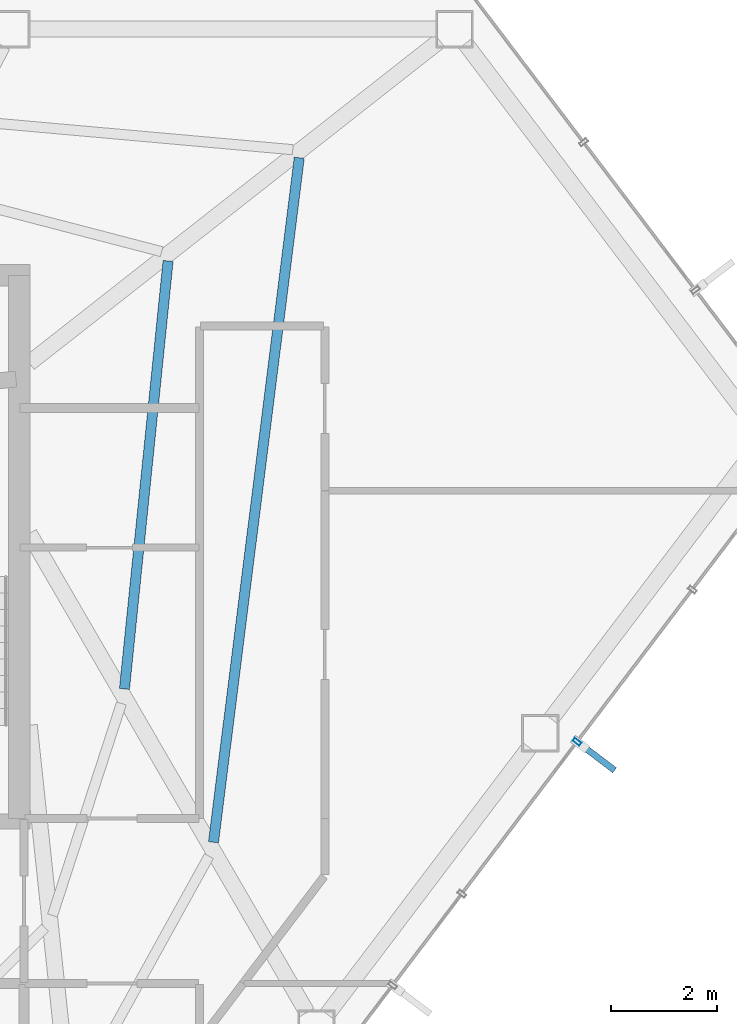
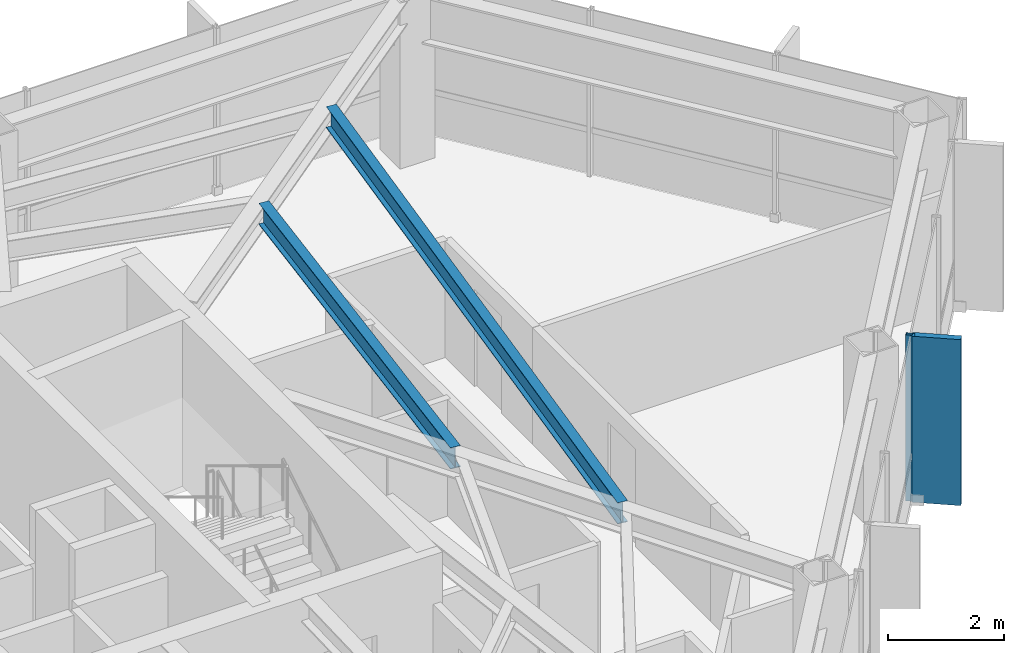
# One storey, part 19 of 27: 2 beams, 2 members, 1 element without a shape of its own.
"""IFC4 building model written with IfcOpenShell, lengths in metres."""

import ifcopenshell
import ifcopenshell.guid

model = None  # the IFC model being written
_history = None  # IfcOwnerHistory: only IFC2X3 demands one
_inside = {}  # id of a spatial element -> (the spatial element, [elements in it])
_under = {}  # id of a project, library or spatial element -> (it, [spatial elements below it])
_declared = {}  # id of a project -> (the project, [libraries it declares])
_typed = {}  # id of a type object -> (the type object, [elements of that type])
_made_of = {}  # id of a material, layer set ... -> (it, [elements and type objects made of it])


def new_model(schema):
    """Start an empty IFC model of exactly this schema.

    Asked for "IFC4X3", IfcOpenShell would pick the latest addendum, in which some entities
    have other attributes; the version numbers below select the first issue.
    IFC2X3 requires an IfcOwnerHistory on every rooted entity: one is made here for all.
    """
    global model, _history
    if schema == "IFC4X3":
        model = ifcopenshell.file(schema_version=(4, 3, 0, 0))
    else:
        model = ifcopenshell.file(schema=schema)
    _inside.clear()
    _under.clear()
    _declared.clear()
    _typed.clear()
    _made_of.clear()
    _history = None
    if model.schema == "IFC2X3":
        org = make("IfcOrganization", Name="unknown")
        user = make(
            "IfcPersonAndOrganization",
            ThePerson=make("IfcPerson", FamilyName="unknown"),
            TheOrganization=org,
        )
        app = make(
            "IfcApplication",
            ApplicationDeveloper=org,
            Version="unknown",
            ApplicationFullName="unknown",
            ApplicationIdentifier="unknown",
        )
        _history = make(
            "IfcOwnerHistory",
            OwningUser=user,
            OwningApplication=app,
            ChangeAction="ADDED",
            CreationDate=0,
        )
    return model


def make(cls, **values):
    """One entity of the class cls with the attributes given. An attribute that is None is left unset."""
    return model.create_entity(
        cls, **{name: value for name, value in values.items() if value is not None}
    )


def rooted(cls, **values):
    """An entity with a GlobalId (a new one), such as an element, a storey or a relation."""
    return make(cls, GlobalId=ifcopenshell.guid.new(), OwnerHistory=_history, **values)


def si_unit(unit_type, name, prefix=None):
    """IfcSIUnit, for example si_unit("LENGTHUNIT", "METRE", prefix="MILLI")."""
    return make("IfcSIUnit", UnitType=unit_type, Prefix=prefix, Name=name)


def assignment(units):
    """IfcUnitAssignment: the units of a project."""
    return None if units is None else make("IfcUnitAssignment", Units=units)


def point(xyz):
    """IfcCartesianPoint."""
    return None if xyz is None else make("IfcCartesianPoint", Coordinates=xyz)


def direction(xyz):
    """IfcDirection."""
    return None if xyz is None else make("IfcDirection", DirectionRatios=xyz)


def frame(location, z_axis=None, x_axis=None):
    """IfcAxis2Placement3D, a coordinate frame: its origin and axes. An axis left out is left unset."""
    return make(
        "IfcAxis2Placement3D",
        Location=point(location),
        Axis=direction(z_axis),
        RefDirection=direction(x_axis),
    )


def frame_2d(location, x_axis=None):
    """IfcAxis2Placement2D, a coordinate frame in the plane: its origin and x axis."""
    return make(
        "IfcAxis2Placement2D", Location=point(location), RefDirection=direction(x_axis)
    )


def origin():
    """The frame at (0, 0, 0) with its axes left unset."""
    return frame((0.0, 0.0, 0.0))


def origin_2d():
    """The frame at (0, 0) in the plane with its x axis left unset."""
    return frame_2d((0.0, 0.0))


def place(relative_to, where):
    """IfcLocalPlacement: puts the frame where relative to a parent placement (None: the world)."""
    return make(
        "IfcLocalPlacement", PlacementRelTo=relative_to, RelativePlacement=where
    )


def context(
    kind, dimensions, precision=None, world=None, true_north=None, identifier=None
):
    """IfcGeometricRepresentationContext, for example the 3D "Model" context."""
    return make(
        "IfcGeometricRepresentationContext",
        ContextIdentifier=identifier,
        ContextType=kind,
        CoordinateSpaceDimension=dimensions,
        Precision=precision,
        WorldCoordinateSystem=world,
        TrueNorth=true_north,
    )


def subcontext(parent, identifier, kind, view, scale=None):
    """IfcGeometricRepresentationSubContext, for example "Body" below "Model"."""
    return make(
        "IfcGeometricRepresentationSubContext",
        ContextIdentifier=identifier,
        ContextType=kind,
        ParentContext=parent,
        TargetScale=scale,
        TargetView=view,
    )


def project(units=None, contexts=None):
    """IfcProject with its units and contexts."""
    return rooted(
        "IfcProject",
        Name="project",
        RepresentationContexts=contexts,
        UnitsInContext=assignment(units),
    )


def spatial(cls, under=None, at=None, **own):
    """A site, building, storey or space (cls), placed at a placement, below another one or the project."""
    s = rooted(cls, ObjectPlacement=at, **own)
    if under is not None:
        _under.setdefault(under.id(), (under, []))[1].append(s)
    return s


def profile(cls, at=None, kind="AREA", **sizes):
    """A parametric profile (cls). Its sizes go by their IFC names, for example OverallWidth=200.0."""
    return make(cls, ProfileType=kind, Position=at, **sizes)


def rectangle(**sizes):
    """IfcRectangleProfileDef."""
    return profile("IfcRectangleProfileDef", **sizes)


def hollow_rectangle(**sizes):
    """IfcRectangleHollowProfileDef."""
    return profile("IfcRectangleHollowProfileDef", **sizes)


def i_section(**sizes):
    """IfcIShapeProfileDef."""
    return profile("IfcIShapeProfileDef", **sizes)


def extrude(swept, where, along, depth):
    """IfcExtrudedAreaSolid: the profile swept, set in the frame where, extruded along a direction by depth."""
    return make(
        "IfcExtrudedAreaSolid",
        SweptArea=swept,
        Position=where,
        ExtrudedDirection=direction(along),
        Depth=depth,
    )


def shape(context_of_items, identifier, shape_type, items):
    """IfcShapeRepresentation: the items that make up one representation, for example the "Body"."""
    return make(
        "IfcShapeRepresentation",
        ContextOfItems=context_of_items,
        RepresentationIdentifier=identifier,
        RepresentationType=shape_type,
        Items=items,
    )


def material(Name=None, Category=None):
    """IfcMaterial."""
    return make("IfcMaterial", Name=Name, Category=Category)


def layer(
    of_material, thickness, ventilated=None, Name=None, Category=None, Priority=None
):
    """IfcMaterialLayer: one layer of a wall or slab, of a material (None: an air gap)."""
    return make(
        "IfcMaterialLayer",
        Material=of_material,
        LayerThickness=thickness,
        IsVentilated=ventilated,
        Name=Name,
        Category=Category,
        Priority=Priority,
    )


def layer_set(layers, Name=None):
    """IfcMaterialLayerSet."""
    return make("IfcMaterialLayerSet", MaterialLayers=layers, LayerSetName=Name)


def material_profile(
    of_material, cross_section, Name=None, Category=None, Priority=None
):
    """IfcMaterialProfile: a cross section and its material."""
    return make(
        "IfcMaterialProfile",
        Name=Name,
        Material=of_material,
        Profile=cross_section,
        Priority=Priority,
        Category=Category,
    )


def profile_set(profiles, Name=None, composite=None):
    """IfcMaterialProfileSet."""
    return make(
        "IfcMaterialProfileSet",
        Name=Name,
        MaterialProfiles=profiles,
        CompositeProfile=composite,
    )


def made_of(thing, what):
    """Note that an element or type object is made of a material, layer set ...; save() writes the relation."""
    if what is not None:
        _made_of.setdefault(what.id(), (what, []))[1].append(thing)
    return thing


def type_object(cls, material=None, **own):
    """A type object (cls), such as IfcWallType, which elements share."""
    return made_of(rooted(cls, **own), material)


def element(
    cls,
    number,
    at=None,
    inside=None,
    cuts=None,
    type_object=None,
    material=None,
    context=None,
    identifier="Body",
    shape_type=None,
    held_by="IfcProductDefinitionShape",
    body=None,
    shapes=None,
    **own,
):
    """One element of the class cls, such as IfcWall. Its Tag is "e" and its number.

    at: its placement. inside: the storey or other place that contains it. cuts: it is an
    opening in that element (IfcRelVoidsElement). A single representation is given by context,
    identifier, shape_type and body (its items); several are given by shapes. held_by: the class
    of the entity that holds the representations. save() writes the other relations.
    """
    e = rooted(cls, Tag="e%d" % number, ObjectPlacement=at, **own)
    if body is not None:
        shapes = [shape(context, identifier, shape_type, body)]
    if shapes is not None:
        e.Representation = make(held_by, Representations=shapes)
    if inside is not None:
        _inside.setdefault(inside.id(), (inside, []))[1].append(e)
    if cuts is not None:
        rooted(
            "IfcRelVoidsElement", RelatingBuildingElement=cuts, RelatedOpeningElement=e
        )
    if type_object is not None:
        _typed.setdefault(type_object.id(), (type_object, []))[1].append(e)
    return made_of(e, material)


def aggregate(whole, parts):
    """IfcRelAggregates: a whole, such as a stair, and the parts it consists of."""
    return rooted("IfcRelAggregates", RelatingObject=whole, RelatedObjects=parts)


def save(model, path):
    """Write the relations noted so far, then the file.

    IfcRelAggregates (storeys below a building ...), IfcRelContainedInSpatialStructure (elements
    in a storey), IfcRelDefinesByType, IfcRelAssociatesMaterial and IfcRelDeclares: one each for
    every whole, place, type object, material and project.
    """
    for whole, parts in _under.values():
        aggregate(whole, parts)
    for where, things in _inside.values():
        rooted(
            "IfcRelContainedInSpatialStructure",
            RelatedElements=things,
            RelatingStructure=where,
        )
    for kind, things in _typed.values():
        rooted("IfcRelDefinesByType", RelatedObjects=things, RelatingType=kind)
    for what, things in _made_of.values():
        rooted("IfcRelAssociatesMaterial", RelatedObjects=things, RelatingMaterial=what)
    for by, libraries in _declared.values():
        rooted("IfcRelDeclares", RelatingContext=by, RelatedDefinitions=libraries)
    model.write(path)


model = new_model("IFC4")

# Units and contexts
model_context = context("Model", 3, precision=1e-05, world=origin(), true_north=direction((0.0, 1.0)))
body_context = subcontext(model_context, "Body", "Model", "MODEL_VIEW")
ifc_project = project(units=[si_unit("LENGTHUNIT", "METRE"), si_unit("AREAUNIT", "SQUARE_METRE"), si_unit("VOLUMEUNIT", "CUBIC_METRE"), si_unit("PLANEANGLEUNIT", "RADIAN"), si_unit("MASSUNIT", "GRAM", prefix="KILO")], contexts=[model_context])

# Site, building, storey
site_placement = place(None, origin())
site = spatial("IfcSite", under=ifc_project, at=site_placement, CompositionType="ELEMENT")
building_placement = place(site_placement, origin())
building = spatial("IfcBuilding", under=site, at=building_placement, Name="Zarrinselat Tower", CompositionType="ELEMENT")
storey_placement = place(building_placement, frame((0.0, 0.0, 175.780029296875)))
storey = spatial("IfcBuildingStorey", under=building, at=storey_placement, Name="L43", CompositionType="ELEMENT", Elevation=175.780029296875)

# Beams
ifc_material_1 = material(Name="Steel S355J2", Category="steel")
ifc_material_profile_1 = material_profile(ifc_material_1, i_section(OverallWidth=0.18994140625, OverallDepth=0.449951171875, WebThickness=0.009521484375, FlangeThickness=0.0146484375, at=origin_2d()), Name="IPE 450")
ifc_profile_set_1 = profile_set([ifc_material_profile_1], Name="Steel S355J2")
beam_type = type_object("IfcBeamType", Name="BM-IPE450", PredefinedType="JOIST", material=ifc_profile_set_1)
beam_1_placement = place(storey_placement, frame((51.90966796875, 32.80322265625, 3.27490234375), z_axis=(0.124345541619, 0.992238976396, 0.0), x_axis=(-0.992238976396, 0.124345541619, 0.0)))
element("IfcBeam", 1, at=beam_1_placement, inside=storey, type_object=beam_type, Name="L43 Composite Floor Joist 5-1", PredefinedType="JOIST", context=body_context, shape_type="SweptSolid", body=[
    extrude(i_section(OverallWidth=0.18994140625, OverallDepth=0.449951171875, WebThickness=0.009521484375, FlangeThickness=0.0146484375, at=origin_2d()), origin(), (0.0, 0.0, 1.0), 12.95458984375),
])
beam_2_placement = place(storey_placement, frame((50.237548828125, 35.681640625, 3.27490234375), z_axis=(0.101409321868, 0.994844786607, 0.0), x_axis=(-0.994844786607, 0.101409321868, 0.0)))
element("IfcBeam", 2, at=beam_2_placement, inside=storey, type_object=beam_type, Name="L43 Composite Floor Joist 5-2", PredefinedType="JOIST", context=body_context, shape_type="SweptSolid", body=[
    extrude(i_section(OverallWidth=0.18994140625, OverallDepth=0.449951171875, WebThickness=0.009521484375, FlangeThickness=0.0146484375, at=origin_2d()), origin(), (0.0, 0.0, 1.0), 8.07958984375),
])

# Curtain wall, members
ifc_material_2 = material(Name="Extruded Aluminium Alloy EN AW-6063 T6", Category="aluminium")
ifc_layer = layer(ifc_material_2, 0.175048828125)
ifc_layer_set = layer_set([ifc_layer], Name="Extruded Aluminium Alloy EN AW-6063 T6")
curtain_wall_type = type_object("IfcCurtainWallType", Name="CWS-HTL", PredefinedType="NOTDEFINED", material=ifc_layer_set)
curtain_wall_placement = place(storey_placement, origin())
curtain_wall = element("IfcCurtainWall", 3, at=curtain_wall_placement, inside=storey, type_object=curtain_wall_type, Name="L43 Unitised Curtain Wall CW-L43-E05", PredefinedType="NOTDEFINED")
ifc_material_3 = material(Name="Extruded Aluminium Alloy EN AW-6063 T6", Category="aluminium")
ifc_material_profile_2 = material_profile(ifc_material_3, hollow_rectangle(XDim=0.070068359375, YDim=0.159912109375, WallThickness=0.00390625, at=origin_2d()), Name="RHS 160x70x4")
ifc_profile_set_2 = profile_set([ifc_material_profile_2], Name="Extruded Aluminium Alloy EN AW-6063 T6")
member_type_1 = type_object("IfcMemberType", Name="MEM-CW-MUL2", PredefinedType="MULLION", material=ifc_profile_set_2)
member_1_placement = place(storey_placement, frame((58.73779296875, 34.68798828125, 0.0), z_axis=(0.0, 0.0, 1.0), x_axis=(0.603859165965, 0.797091028478, 0.0)))
member_1 = element("IfcMember", 4, at=member_1_placement, type_object=member_type_1, Name="CW-L43-E05 Mullion 7", PredefinedType="MULLION", context=body_context, shape_type="SweptSolid", body=[
    extrude(hollow_rectangle(XDim=0.070068359375, YDim=0.159912109375, WallThickness=0.00390625, at=origin_2d()), origin(), (0.0, 0.0, 1.0), 3.5),
])
ifc_material_4 = material(Name="Honed Cream Travertine Stone", Category="masonry")
ifc_material_profile_3 = material_profile(ifc_material_4, rectangle(XDim=0.1201171875, YDim=0.85009765625, at=origin_2d()), Name="FIN 850x120")
ifc_profile_set_3 = profile_set([ifc_material_profile_3], Name="Honed Cream Travertine Stone")
member_type_2 = type_object("IfcMemberType", Name="MEM-STONE-FIN", PredefinedType="USERDEFINED", material=ifc_profile_set_3)
member_2_placement = place(storey_placement, frame((59.1044921875, 34.410400390625, 0.0), z_axis=(0.0, 0.0, 1.0), x_axis=(-0.603859165965, -0.797091028478, 0.0)))
member_2 = element("IfcMember", 5, at=member_2_placement, type_object=member_type_2, Name="L43 Stone Shading Fin CW-L43-E05-07", ObjectType="FIN", PredefinedType="USERDEFINED", context=body_context, shape_type="SweptSolid", body=[
    extrude(rectangle(XDim=0.1201171875, YDim=0.85009765625, at=origin_2d()), origin(), (0.0, 0.0, 1.0), 3.5),
])
aggregate(curtain_wall, [member_1, member_2])

save(model, "model.ifc")
